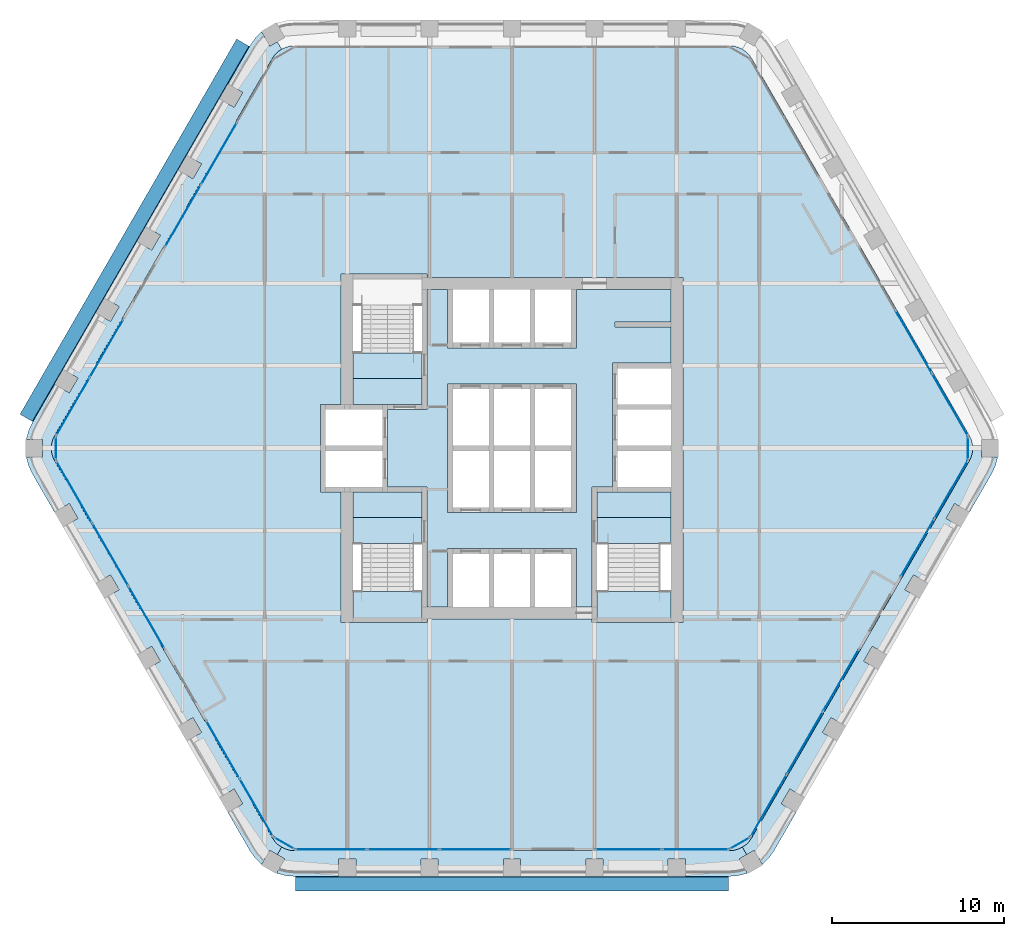
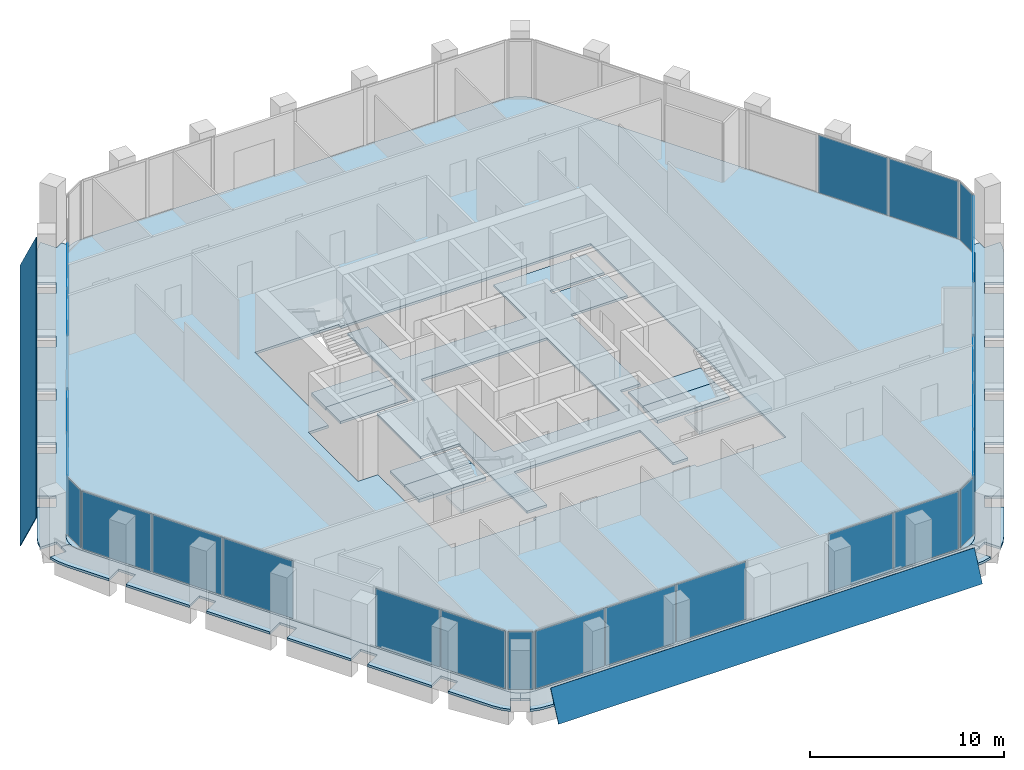
# One storey, part 7 of 15: 27 plates, 14 slabs, 16 elements without a shape of their own.
"""IFC4 building model written with IfcOpenShell, lengths in metres."""

from ifc_helpers import new_model, si_unit, direction, frame, origin, origin_2d, place, context, subcontext, project, spatial, polyline, rectangle, outline, extrude, material, layer, layer_set, type_object, element, aggregate, save


model = new_model("IFC4")

# Units and contexts
model_context = context("Model", 3, precision=1e-05, world=origin(), true_north=direction((0.0, 1.0)))
body_context = subcontext(model_context, "Body", "Model", "MODEL_VIEW")
ifc_project = project(units=[si_unit("LENGTHUNIT", "METRE"), si_unit("AREAUNIT", "SQUARE_METRE"), si_unit("VOLUMEUNIT", "CUBIC_METRE"), si_unit("PLANEANGLEUNIT", "RADIAN"), si_unit("MASSUNIT", "GRAM", prefix="KILO")], contexts=[model_context])

# Site, building, storey
site_placement = place(None, origin())
site = spatial("IfcSite", under=ifc_project, at=site_placement, CompositionType="ELEMENT")
building_placement = place(site_placement, origin())
building = spatial("IfcBuilding", under=site, at=building_placement, Name="Kolab Exchange Tower", CompositionType="ELEMENT")
storey_placement = place(building_placement, frame((0.0, 0.0, 189.5)))
storey = spatial("IfcBuildingStorey", under=building, at=storey_placement, Name="L40", CompositionType="ELEMENT", Elevation=189.5)

# Slabs
ifc_material_1 = material(Name="Concrete C35/45", Category="concrete")
ifc_layer_1 = layer(ifc_material_1, 0.14990234375)
ifc_layer_set_1 = layer_set([ifc_layer_1], Name="Concrete C35/45")
slab_type_1 = type_object("IfcSlabType", Name="FLOOR SLAB 150", PredefinedType="FLOOR", material=ifc_layer_set_1)
slab_1_placement = place(storey_placement, frame((0.0, 0.0, -0.14990234375)))
element("IfcSlab", 1, at=slab_1_placement, inside=storey, type_object=slab_type_1, Name="slab/L40/floor/0", PredefinedType="FLOOR", context=body_context, shape_type="SweptSolid", body=[
    extrude(outline(polyline([(13.967041015625, -22.691650390625), (26.635009765625, -0.75), (26.745361328125, -0.512939453125), (26.81298828125, -0.260498046875), (26.8359375, 0.0), (26.81298828125, 0.260498046875), (26.745361328125, 0.512939453125), (26.635009765625, 0.75), (13.967041015625, 22.691650390625), (13.81689453125, 22.90576171875), (13.632080078125, 23.090576171875), (13.41796875, 23.240478515625), (13.180908203125, 23.35107421875), (12.928466796875, 23.418701171875), (12.66796875, 23.441650390625), (-12.66796875, 23.441650390625), (-12.928466796875, 23.418701171875), (-13.180908203125, 23.35107421875), (-13.41796875, 23.240478515625), (-13.632080078125, 23.090576171875), (-13.81689453125, 22.90576171875), (-13.967041015625, 22.691650390625), (-26.635009765625, 0.75), (-26.745361328125, 0.512939453125), (-26.81298828125, 0.260498046875), (-26.8359375, 0.0), (-26.81298828125, -0.260498046875), (-26.745361328125, -0.512939453125), (-26.635009765625, -0.75), (-13.967041015625, -22.691650390625), (-13.81689453125, -22.90576171875), (-13.632080078125, -23.090576171875), (-13.41796875, -23.240478515625), (-13.180908203125, -23.35107421875), (-12.928466796875, -23.418701171875), (-12.66796875, -23.441650390625), (12.66796875, -23.441650390625), (12.928466796875, -23.418701171875), (13.180908203125, -23.35107421875), (13.41796875, -23.240478515625), (13.632080078125, -23.090576171875), (13.81689453125, -22.90576171875), (13.967041015625, -22.691650390625)]), holes=[polyline([(-9.25, -10.14990234375), (-9.949951171875, -10.14990234375), (-9.949951171875, -2.550048828125), (-10.85009765625, -2.550048828125), (-11.14990234375, -2.550048828125), (-11.14990234375, 2.550048828125), (-10.85009765625, 2.550048828125), (-9.949951171875, 2.550048828125), (-9.949951171875, 10.14990234375), (-9.25, 10.14990234375), (-5.25, 10.14990234375), (-4.949951171875, 10.14990234375), (-4.949951171875, 9.949951171875), (9.25, 9.949951171875), (9.949951171875, 9.949951171875), (9.949951171875, -10.14990234375), (9.25, -10.14990234375), (4.949951171875, -10.14990234375), (4.64990234375, -10.14990234375), (4.64990234375, -9.949951171875), (-4.949951171875, -9.949951171875), (-4.949951171875, -10.14990234375), (-5.25, -10.14990234375), (-9.25, -10.14990234375)])]), origin(), (0.0, 0.0, 1.0), 0.14990234375),
])
slab_2_placement = place(storey_placement, frame((0.0, 0.0, -0.14990234375)))
element("IfcSlab", 2, at=slab_2_placement, inside=storey, type_object=slab_type_1, Name="slab/L40/floor/1", PredefinedType="FLOOR", context=body_context, shape_type="SweptSolid", body=[
    extrude(outline(polyline([(-4.949951171875, 9.25), (-4.949951171875, 2.25), (-5.25, 2.25), (-7.25, 2.25), (-7.25, -2.25), (-5.25, -2.25), (-4.949951171875, -2.25), (-4.949951171875, -9.25), (-3.75, -9.25), (-3.75, -5.85009765625), (-3.449951171875, -5.85009765625), (-1.35009765625, -5.85009765625), (-1.050048828125, -5.85009765625), (1.050048828125, -5.85009765625), (1.35009765625, -5.85009765625), (3.449951171875, -5.85009765625), (3.75, -5.85009765625), (3.75, -9.25), (4.64990234375, -9.25), (4.64990234375, -2.25), (4.949951171875, -2.25), (5.85009765625, -2.25), (5.85009765625, 4.949951171875), (6.14990234375, 4.949951171875), (9.25, 4.949951171875), (9.25, 7.050048828125), (6.0, 7.050048828125), (6.0, 7.35009765625), (9.25, 7.35009765625), (9.25, 9.25), (3.75, 9.25), (3.75, 5.85009765625), (3.449951171875, 5.85009765625), (1.35009765625, 5.85009765625), (1.050048828125, 5.85009765625), (-1.050048828125, 5.85009765625), (-1.35009765625, 5.85009765625), (-3.449951171875, 5.85009765625), (-3.75, 5.85009765625), (-3.75, 9.25), (-4.949951171875, 9.25)]), holes=[polyline([(-3.449951171875, -3.75), (-3.75, -3.75), (-3.75, 3.75), (-3.449951171875, 3.75), (-1.35009765625, 3.75), (-1.050048828125, 3.75), (1.050048828125, 3.75), (1.35009765625, 3.75), (3.449951171875, 3.75), (3.75, 3.75), (3.75, -3.75), (3.449951171875, -3.75), (1.35009765625, -3.75), (1.050048828125, -3.75), (-1.050048828125, -3.75), (-1.35009765625, -3.75), (-3.449951171875, -3.75)])]), origin(), (0.0, 0.0, 1.0), 0.14990234375),
])
slab_3_placement = place(storey_placement, frame((0.0, 0.0, -0.14990234375)))
element("IfcSlab", 3, at=slab_3_placement, inside=storey, type_object=slab_type_1, Name="slab/L40/floor/2", PredefinedType="FLOOR", context=body_context, shape_type="SweptSolid", body=[
    extrude(outline(polyline([(4.949951171875, -4.050048828125), (9.25, -4.050048828125), (9.25, -2.550048828125), (6.14990234375, -2.550048828125), (5.85009765625, -2.550048828125), (4.949951171875, -2.550048828125), (4.949951171875, -4.050048828125)])), origin(), (0.0, 0.0, 1.0), 0.14990234375),
])
slab_4_placement = place(storey_placement, frame((0.0, 0.0, -0.14990234375)))
element("IfcSlab", 4, at=slab_4_placement, inside=storey, type_object=slab_type_1, Name="slab/L40/floor/3", PredefinedType="FLOOR", context=body_context, shape_type="SweptSolid", body=[
    extrude(outline(polyline([(-7.550048828125, -2.550048828125), (-9.25, -2.550048828125), (-9.25, -4.050048828125), (-5.25, -4.050048828125), (-5.25, -2.550048828125), (-7.25, -2.550048828125), (-7.550048828125, -2.550048828125)])), origin(), (0.0, 0.0, 1.0), 0.14990234375),
])
slab_5_placement = place(storey_placement, frame((0.0, 0.0, -0.14990234375)))
element("IfcSlab", 5, at=slab_5_placement, inside=storey, type_object=slab_type_1, Name="slab/L40/floor/4", PredefinedType="FLOOR", context=body_context, shape_type="SweptSolid", body=[
    extrude(outline(polyline([(-9.25, 2.550048828125), (-7.550048828125, 2.550048828125), (-7.25, 2.550048828125), (-5.25, 2.550048828125), (-5.25, 4.050048828125), (-9.25, 4.050048828125), (-9.25, 2.550048828125)])), origin(), (0.0, 0.0, 1.0), 0.14990234375),
])
ifc_layer_2 = layer(ifc_material_1, 0.14990234375)
ifc_layer_set_2 = layer_set([ifc_layer_2], Name="Concrete C35/45")
slab_type_2 = type_object("IfcSlabType", Name="LOGGIA SLAB 150", PredefinedType="FLOOR", material=ifc_layer_set_2)
slab_6_placement = place(storey_placement, frame((0.0, 0.0, -0.14990234375)))
element("IfcSlab", 6, at=slab_6_placement, inside=storey, type_object=slab_type_2, Name="slab/L40/loggia/2-0", PredefinedType="FLOOR", context=body_context, shape_type="SweptSolid", body=[
    extrude(outline(polyline([(15.26611328125, -23.441650390625), (16.550048828125, -21.217529296875), (15.68408203125, -20.717529296875), (16.18408203125, -19.8515625), (17.050048828125, -20.3515625), (18.949951171875, -17.060791015625), (18.083984375, -16.560791015625), (18.583984375, -15.694580078125), (19.449951171875, -16.194580078125), (21.35009765625, -12.90380859375), (20.48388671875, -12.40380859375), (20.98388671875, -11.537841796875), (21.85009765625, -12.037841796875), (23.75, -8.746826171875), (22.884033203125, -8.246826171875), (23.384033203125, -7.380859375), (24.25, -7.880859375), (26.14990234375, -4.58984375), (25.283935546875, -4.08984375), (25.783935546875, -3.223876953125), (26.64990234375, -3.723876953125), (27.93408203125, -1.5), (28.155029296875, -1.026123046875), (28.290283203125, -0.52099609375), (28.292236328125, -0.5), (27.3359375, -0.5), (27.3359375, 0.0), (26.8359375, 0.0), (26.81298828125, -0.260498046875), (26.745361328125, -0.512939453125), (26.635009765625, -0.75), (13.967041015625, -22.691650390625), (13.81689453125, -22.90576171875), (13.632080078125, -23.090576171875), (13.41796875, -23.240478515625), (13.66796875, -23.673583984375), (14.10107421875, -23.423583984375), (14.5791015625, -24.251708984375), (14.59619140625, -24.23974609375), (14.966064453125, -23.869873046875), (15.26611328125, -23.441650390625)])), origin(), (0.0, 0.0, 1.0), 0.14990234375),
])
slab_7_placement = place(storey_placement, frame((0.0, 0.0, -0.14990234375)))
element("IfcSlab", 7, at=slab_7_placement, inside=storey, type_object=slab_type_2, Name="slab/L40/loggia/3-0", PredefinedType="FLOOR", context=body_context, shape_type="SweptSolid", body=[
    extrude(outline(polyline([(-13.41796875, -23.240478515625), (-13.66796875, -23.673583984375), (-13.23486328125, -23.923583984375), (-13.713134765625, -24.751708984375), (-13.694091796875, -24.760498046875), (-13.18896484375, -24.89599609375), (-12.66796875, -24.941650390625), (-10.10009765625, -24.941650390625), (-10.10009765625, -23.941650390625), (-9.10009765625, -23.941650390625), (-9.10009765625, -24.941650390625), (-5.300048828125, -24.941650390625), (-5.300048828125, -23.941650390625), (-4.300048828125, -23.941650390625), (-4.300048828125, -24.941650390625), (-0.5, -24.941650390625), (-0.5, -23.941650390625), (0.5, -23.941650390625), (0.5, -24.941650390625), (4.300048828125, -24.941650390625), (4.300048828125, -23.941650390625), (5.300048828125, -23.941650390625), (5.300048828125, -24.941650390625), (9.10009765625, -24.941650390625), (9.10009765625, -23.941650390625), (10.10009765625, -23.941650390625), (10.10009765625, -24.941650390625), (12.66796875, -24.941650390625), (13.18896484375, -24.89599609375), (13.694091796875, -24.760498046875), (13.713134765625, -24.751708984375), (13.23486328125, -23.923583984375), (13.66796875, -23.673583984375), (13.41796875, -23.240478515625), (13.180908203125, -23.35107421875), (12.928466796875, -23.418701171875), (12.66796875, -23.441650390625), (-12.66796875, -23.441650390625), (-12.928466796875, -23.418701171875), (-13.180908203125, -23.35107421875), (-13.41796875, -23.240478515625)])), origin(), (0.0, 0.0, 1.0), 0.14990234375),
])
slab_8_placement = place(storey_placement, frame((0.0, 0.0, -0.14990234375)))
element("IfcSlab", 8, at=slab_8_placement, inside=storey, type_object=slab_type_2, Name="slab/L40/loggia/4-0", PredefinedType="FLOOR", context=body_context, shape_type="SweptSolid", body=[
    extrude(outline(polyline([(-26.8359375, 0.0), (-27.3359375, 0.0), (-27.3359375, -0.5), (-28.292236328125, -0.5), (-28.290283203125, -0.52099609375), (-28.155029296875, -1.026123046875), (-27.93408203125, -1.5), (-26.64990234375, -3.723876953125), (-25.783935546875, -3.223876953125), (-25.283935546875, -4.08984375), (-26.14990234375, -4.58984375), (-24.25, -7.880859375), (-23.384033203125, -7.380859375), (-22.884033203125, -8.246826171875), (-23.75, -8.746826171875), (-21.85009765625, -12.037841796875), (-20.98388671875, -11.537841796875), (-20.48388671875, -12.40380859375), (-21.35009765625, -12.90380859375), (-19.449951171875, -16.194580078125), (-18.583984375, -15.694580078125), (-18.083984375, -16.560791015625), (-18.949951171875, -17.060791015625), (-17.050048828125, -20.3515625), (-16.18408203125, -19.8515625), (-15.68408203125, -20.717529296875), (-16.550048828125, -21.217529296875), (-15.26611328125, -23.441650390625), (-14.966064453125, -23.869873046875), (-14.59619140625, -24.23974609375), (-14.5791015625, -24.251708984375), (-14.10107421875, -23.423583984375), (-13.66796875, -23.673583984375), (-13.41796875, -23.240478515625), (-13.632080078125, -23.090576171875), (-13.81689453125, -22.90576171875), (-13.967041015625, -22.691650390625), (-26.635009765625, -0.75), (-26.745361328125, -0.512939453125), (-26.81298828125, -0.260498046875), (-26.8359375, 0.0)])), origin(), (0.0, 0.0, 1.0), 0.14990234375),
])
slab_9_placement = place(storey_placement, frame((0.0, 0.0, -0.14990234375)))
element("IfcSlab", 9, at=slab_9_placement, inside=storey, type_object=slab_type_2, Name="slab/L40/loggia/5-0", PredefinedType="FLOOR", context=body_context, shape_type="SweptSolid", body=[
    extrude(outline(polyline([(-13.41796875, 23.240478515625), (-13.66796875, 23.673583984375), (-14.10107421875, 23.423583984375), (-14.5791015625, 24.251708984375), (-14.59619140625, 24.23974609375), (-14.966064453125, 23.869873046875), (-15.26611328125, 23.441650390625), (-16.550048828125, 21.217529296875), (-15.68408203125, 20.717529296875), (-16.18408203125, 19.8515625), (-17.050048828125, 20.3515625), (-18.949951171875, 17.060791015625), (-18.083984375, 16.560791015625), (-18.583984375, 15.694580078125), (-19.449951171875, 16.194580078125), (-21.35009765625, 12.90380859375), (-20.48388671875, 12.40380859375), (-20.98388671875, 11.537841796875), (-21.85009765625, 12.037841796875), (-23.75, 8.746826171875), (-22.884033203125, 8.246826171875), (-23.384033203125, 7.380859375), (-24.25, 7.880859375), (-26.14990234375, 4.58984375), (-25.283935546875, 4.08984375), (-25.783935546875, 3.223876953125), (-26.64990234375, 3.723876953125), (-27.93408203125, 1.5), (-28.155029296875, 1.026123046875), (-28.290283203125, 0.52099609375), (-28.292236328125, 0.5), (-27.3359375, 0.5), (-27.3359375, 0.0), (-26.8359375, 0.0), (-26.81298828125, 0.260498046875), (-26.745361328125, 0.512939453125), (-26.635009765625, 0.75), (-13.967041015625, 22.691650390625), (-13.81689453125, 22.90576171875), (-13.632080078125, 23.090576171875), (-13.41796875, 23.240478515625)])), origin(), (0.0, 0.0, 1.0), 0.14990234375),
])

# Plates
ifc_material_2 = material(Name="Laminated glass, clear", Category="glass")
ifc_layer_3 = layer(ifc_material_2, 0.0400390625)
ifc_layer_set_3 = layer_set([ifc_layer_3], Name="Laminated glass, clear")
plate_type_1 = type_object("IfcPlateType", Name="OUTER SKIN LAMINATED GLASS SHEET 40", PredefinedType="SHEET", material=ifc_layer_set_3)
plate_1_placement = place(storey_placement, frame((12.617919921875, -25.806640625, -0.68310546875), z_axis=(0.0, -0.906316657655, 0.422599238118), x_axis=(-1.0, 0.0, 0.0)))
element("IfcPlate", 10, at=plate_1_placement, inside=storey, type_object=plate_type_1, Name="Outer skin", PredefinedType="SHEET", context=body_context, shape_type="SweptSolid", body=[
    extrude(outline(polyline([(0.0, 0.0), (25.23583984375, 0.0), (25.23583984375, -1.961332030711248), (0.0, -1.961332030711248), (0.0, 0.0)])), origin(), (0.0, 0.0, -1.0), 0.0400390625),
])
plate_2_placement = place(storey_placement, frame((-28.658203125, 1.975830078125, -0.68310546875), z_axis=(-0.784898656704, 0.453161865271, 0.422585402693), x_axis=(0.499999968995, 0.866025421685, -9.26315e-07)))
element("IfcPlate", 11, at=plate_2_placement, inside=storey, type_object=plate_type_1, Name="Outer skin", PredefinedType="SHEET", context=body_context, shape_type="SweptSolid", body=[
    extrude(outline(polyline([(0.0, 0.0), (25.23592824607872, 0.0), (25.23580178082614, -1.96134386267648), (8.496673513263058e-05, -1.9612922777250188), (0.0, 0.0)])), origin(), (0.0, 0.0, -1.0), 0.0400390625),
])

# Stair, slab
ifc_material_3 = material(Name="Concrete C50/60", Category="concrete")
stair_type_1 = type_object("IfcStairType", Name="STAIR ST1 RISER 177.3", PredefinedType="HALF_TURN_STAIR", material=ifc_material_3)
stair_1_placement = place(storey_placement, origin())
stair_1 = element("IfcStair", 12, at=stair_1_placement, inside=storey, type_object=stair_type_1, Name="Stair 1", PredefinedType="HALF_TURN_STAIR")
ifc_layer_4 = layer(ifc_material_3, 0.199951171875)
ifc_layer_set_4 = layer_set([ifc_layer_4], Name="Concrete C50/60")
slab_type_3 = type_object("IfcSlabType", Name="STAIR LANDING 200", PredefinedType="LANDING", material=ifc_layer_set_4)
slab_10_placement = place(storey_placement, frame((0.0, 0.0, -0.199951171875)))
slab_10 = element("IfcSlab", 13, at=slab_10_placement, type_object=slab_type_3, Name="ST1 landing 1", PredefinedType="LANDING", context=body_context, shape_type="SweptSolid", body=[
    extrude(outline(polyline([(-9.25, 4.050048828125), (-5.25, 4.050048828125), (-5.25, 5.550048828125), (-9.25, 5.550048828125), (-9.25, 4.050048828125)])), origin(), (0.0, 0.0, 1.0), 0.199951171875),
])
aggregate(stair_1, [slab_10])

# Stair, slabs
stair_type_2 = type_object("IfcStairType", Name="STAIR ST3 RISER 177.3", PredefinedType="HALF_TURN_STAIR", material=ifc_material_3)
stair_2_placement = place(storey_placement, origin())
stair_2 = element("IfcStair", 14, at=stair_2_placement, inside=storey, type_object=stair_type_2, Name="Stair 3", PredefinedType="HALF_TURN_STAIR")
slab_11_placement = place(storey_placement, frame((0.0, 0.0, -0.199951171875)))
slab_11 = element("IfcSlab", 15, at=slab_11_placement, type_object=slab_type_3, Name="ST3 landing 1", PredefinedType="LANDING", context=body_context, shape_type="SweptSolid", body=[
    extrude(outline(polyline([(-9.25, -5.550048828125), (-5.25, -5.550048828125), (-5.25, -4.050048828125), (-9.25, -4.050048828125), (-9.25, -5.550048828125)])), origin(), (0.0, 0.0, 1.0), 0.199951171875),
])
slab_12_placement = place(storey_placement, frame((0.0, 0.0, 1.75)))
slab_12 = element("IfcSlab", 16, at=slab_12_placement, type_object=slab_type_3, Name="ST3 landing 2", PredefinedType="LANDING", context=body_context, shape_type="SweptSolid", body=[
    extrude(outline(polyline([(-9.25, -9.909912109375), (-5.25, -9.909912109375), (-5.25, -8.35009765625), (-9.25, -8.35009765625), (-9.25, -9.909912109375)])), origin(), (0.0, 0.0, 1.0), 0.199951171875),
])
aggregate(stair_2, [slab_11, slab_12])

stair_type_3 = type_object("IfcStairType", Name="STAIR ST2 RISER 177.3", PredefinedType="HALF_TURN_STAIR", material=ifc_material_3)
stair_3_placement = place(storey_placement, origin())
stair_3 = element("IfcStair", 17, at=stair_3_placement, inside=storey, type_object=stair_type_3, Name="Stair 2", PredefinedType="HALF_TURN_STAIR")
slab_13_placement = place(storey_placement, frame((0.0, 0.0, -0.199951171875)))
slab_13 = element("IfcSlab", 18, at=slab_13_placement, type_object=slab_type_3, Name="ST2 landing 1", PredefinedType="LANDING", context=body_context, shape_type="SweptSolid", body=[
    extrude(outline(polyline([(4.949951171875, -5.550048828125), (9.25, -5.550048828125), (9.25, -4.050048828125), (4.949951171875, -4.050048828125), (4.949951171875, -5.550048828125)])), origin(), (0.0, 0.0, 1.0), 0.199951171875),
])
slab_14_placement = place(storey_placement, frame((0.0, 0.0, 1.75)))
slab_14 = element("IfcSlab", 19, at=slab_14_placement, type_object=slab_type_3, Name="ST2 landing 2", PredefinedType="LANDING", context=body_context, shape_type="SweptSolid", body=[
    extrude(outline(polyline([(4.949951171875, -9.909912109375), (9.25, -9.909912109375), (9.25, -8.35009765625), (4.949951171875, -8.35009765625), (4.949951171875, -9.909912109375)])), origin(), (0.0, 0.0, 1.0), 0.199951171875),
])
aggregate(stair_3, [slab_13, slab_14])

# Curtain wall, plates
ifc_material_4 = material(Name="Aluminium EN AW-6063 T6", Category="aluminium")
curtain_wall_type = type_object("IfcCurtainWallType", Name="UNITISED UPPER MID ZONE CURTAIN WALL", PredefinedType="NOTDEFINED", material=ifc_material_4)
curtain_wall_1_placement = place(storey_placement, origin())
curtain_wall_1 = element("IfcCurtainWall", 20, at=curtain_wall_1_placement, inside=storey, type_object=curtain_wall_type, Name="cw/L40/F2-2", PredefinedType="NOTDEFINED")
ifc_material_5 = material(Name="Clear insulated glazing unit", Category="glass")
ifc_layer_5 = layer(ifc_material_5, 0.028076171875)
ifc_layer_set_5 = layer_set([ifc_layer_5], Name="Clear insulated glazing unit")
plate_type_2 = type_object("IfcPlateType", Name="UNITISED UPPER MID ZONE GLASS PANEL 28", PredefinedType="CURTAIN_PANEL", material=ifc_layer_set_5)
plate_3_placement = place(storey_placement, frame((23.398681640625, 6.1953125, 0.06005859375), z_axis=(0.0, 0.0, 1.0), x_axis=(0.499999958358, -0.866025427826, 0.0)))
plate_3 = element("IfcPlate", 21, at=plate_3_placement, type_object=plate_type_2, Name="CW3 panel 2.1", PredefinedType="CURTAIN_PANEL", context=body_context, shape_type="SweptSolid", body=[
    extrude(rectangle(XDim=4.16259765625, YDim=0.028076171875, at=origin_2d()), origin(), (0.0, 0.0, 1.0), 3.6298828125),
])
plate_4_placement = place(storey_placement, frame((25.50244140625, 2.551513671875, 0.06005859375), z_axis=(0.0, 0.0, 1.0), x_axis=(0.499999958358, -0.866025427826, 0.0)))
plate_4 = element("IfcPlate", 22, at=plate_4_placement, type_object=plate_type_2, Name="CW3 panel 3.1", PredefinedType="CURTAIN_PANEL", context=body_context, shape_type="SweptSolid", body=[
    extrude(rectangle(XDim=4.132568359375, YDim=0.028076171875, at=origin_2d()), origin(), (0.0, 0.0, 1.0), 3.6298828125),
])
aggregate(curtain_wall_1, [plate_3, plate_4])

curtain_wall_2_placement = place(storey_placement, origin())
curtain_wall_2 = element("IfcCurtainWall", 23, at=curtain_wall_2_placement, inside=storey, type_object=curtain_wall_type, Name="cw/L40/F3-1", PredefinedType="NOTDEFINED")
plate_5_placement = place(storey_placement, frame((25.57470703125, -2.426513671875, 0.06005859375), z_axis=(0.0, 0.0, 1.0), x_axis=(-0.499999936366, -0.866025440524, 0.0)))
plate_5 = element("IfcPlate", 24, at=plate_5_placement, type_object=plate_type_2, Name="CW3 panel 1.1", PredefinedType="CURTAIN_PANEL", context=body_context, shape_type="SweptSolid", body=[
    extrude(rectangle(XDim=3.843994140625, YDim=0.028076171875, at=origin_2d()), origin(), (0.0, 0.0, 1.0), 3.6298828125),
])
plate_6_placement = place(storey_placement, frame((23.62255859375, -5.807373046875, 0.06005859375), z_axis=(0.0, 0.0, 1.0), x_axis=(-0.499999936366, -0.866025440524, 0.0)))
plate_6 = element("IfcPlate", 25, at=plate_6_placement, type_object=plate_type_2, Name="CW3 panel 2.1", PredefinedType="CURTAIN_PANEL", context=body_context, shape_type="SweptSolid", body=[
    extrude(rectangle(XDim=3.843994140625, YDim=0.028076171875, at=origin_2d()), origin(), (0.0, 0.0, 1.0), 3.6298828125),
])
aggregate(curtain_wall_2, [plate_5, plate_6])

curtain_wall_3_placement = place(storey_placement, origin())
curtain_wall_3 = element("IfcCurtainWall", 26, at=curtain_wall_3_placement, inside=storey, type_object=curtain_wall_type, Name="cw/L40/F3-2", PredefinedType="NOTDEFINED")
plate_7_placement = place(storey_placement, frame((19.16845703125, -13.522216796875, 0.06005859375), z_axis=(0.0, 0.0, 1.0), x_axis=(-0.500000017564, -0.866025393644, 0.0)))
plate_7 = element("IfcPlate", 27, at=plate_7_placement, type_object=plate_type_2, Name="CW3 panel 1.1", PredefinedType="CURTAIN_PANEL", context=body_context, shape_type="SweptSolid", body=[
    extrude(rectangle(XDim=4.132568359375, YDim=0.028076171875, at=origin_2d()), origin(), (0.0, 0.0, 1.0), 3.6298828125),
])
plate_8_placement = place(storey_placement, frame((17.064697265625, -17.166259765625, 0.06005859375), z_axis=(0.0, 0.0, 1.0), x_axis=(-0.500000017564, -0.866025393644, 0.0)))
plate_8 = element("IfcPlate", 28, at=plate_8_placement, type_object=plate_type_2, Name="CW3 panel 2.1", PredefinedType="CURTAIN_PANEL", context=body_context, shape_type="SweptSolid", body=[
    extrude(rectangle(XDim=4.16259765625, YDim=0.028076171875, at=origin_2d()), origin(), (0.0, 0.0, 1.0), 3.6298828125),
])
plate_9_placement = place(storey_placement, frame((14.9609375, -20.81005859375, 0.06005859375), z_axis=(0.0, 0.0, 1.0), x_axis=(-0.500000017564, -0.866025393644, 0.0)))
plate_9 = element("IfcPlate", 29, at=plate_9_placement, type_object=plate_type_2, Name="CW3 panel 3.1", PredefinedType="CURTAIN_PANEL", context=body_context, shape_type="SweptSolid", body=[
    extrude(rectangle(XDim=4.132568359375, YDim=0.028076171875, at=origin_2d()), origin(), (0.0, 0.0, 1.0), 3.6298828125),
])
aggregate(curtain_wall_3, [plate_7, plate_8, plate_9])

curtain_wall_4_placement = place(storey_placement, origin())
curtain_wall_4 = element("IfcCurtainWall", 30, at=curtain_wall_4_placement, inside=storey, type_object=curtain_wall_type, Name="cw/L40/F4-1", PredefinedType="NOTDEFINED")
plate_10_placement = place(storey_placement, frame((10.68603515625, -23.361572265625, 0.06005859375), z_axis=(0.0, 0.0, 1.0), x_axis=(-1.0, 0.0, 0.0)))
plate_10 = element("IfcPlate", 31, at=plate_10_placement, type_object=plate_type_2, Name="CW3 panel 1.1", PredefinedType="CURTAIN_PANEL", context=body_context, shape_type="SweptSolid", body=[
    extrude(rectangle(XDim=3.843994140625, YDim=0.028076171875, at=origin_2d()), origin(), (0.0, 0.0, 1.0), 3.6298828125),
])
plate_11_placement = place(storey_placement, frame((6.781982421875, -23.361572265625, 0.06005859375), z_axis=(0.0, 0.0, 1.0), x_axis=(-1.0, 0.0, 0.0)))
plate_11 = element("IfcPlate", 32, at=plate_11_placement, type_object=plate_type_2, Name="CW3 panel 2.1", PredefinedType="CURTAIN_PANEL", context=body_context, shape_type="SweptSolid", body=[
    extrude(rectangle(XDim=3.843994140625, YDim=0.028076171875, at=origin_2d()), origin(), (0.0, 0.0, 1.0), 3.6298828125),
])
aggregate(curtain_wall_4, [plate_10, plate_11])

curtain_wall_5_placement = place(storey_placement, origin())
curtain_wall_5 = element("IfcCurtainWall", 33, at=curtain_wall_5_placement, inside=storey, type_object=curtain_wall_type, Name="cw/L40/F4-2", PredefinedType="NOTDEFINED")
plate_12_placement = place(storey_placement, frame((-2.126220703125, -23.361572265625, 0.06005859375), z_axis=(0.0, 0.0, 1.0), x_axis=(-1.0, 0.0, 0.0)))
plate_12 = element("IfcPlate", 34, at=plate_12_placement, type_object=plate_type_2, Name="CW3 panel 1.1", PredefinedType="CURTAIN_PANEL", context=body_context, shape_type="SweptSolid", body=[
    extrude(rectangle(XDim=4.132568359375, YDim=0.028076171875, at=origin_2d()), origin(), (0.0, 0.0, 1.0), 3.6298828125),
])
plate_13_placement = place(storey_placement, frame((-6.333984375, -23.361572265625, 0.06005859375), z_axis=(0.0, 0.0, 1.0), x_axis=(-1.0, 0.0, 0.0)))
plate_13 = element("IfcPlate", 35, at=plate_13_placement, type_object=plate_type_2, Name="CW3 panel 2.1", PredefinedType="CURTAIN_PANEL", context=body_context, shape_type="SweptSolid", body=[
    extrude(rectangle(XDim=4.16259765625, YDim=0.028076171875, at=origin_2d()), origin(), (0.0, 0.0, 1.0), 3.6298828125),
])
plate_14_placement = place(storey_placement, frame((-10.54150390625, -23.361572265625, 0.06005859375), z_axis=(0.0, 0.0, 1.0), x_axis=(-1.0, 0.0, 0.0)))
plate_14 = element("IfcPlate", 36, at=plate_14_placement, type_object=plate_type_2, Name="CW3 panel 3.1", PredefinedType="CURTAIN_PANEL", context=body_context, shape_type="SweptSolid", body=[
    extrude(rectangle(XDim=4.132568359375, YDim=0.028076171875, at=origin_2d()), origin(), (0.0, 0.0, 1.0), 3.6298828125),
])
aggregate(curtain_wall_5, [plate_12, plate_13, plate_14])

curtain_wall_6_placement = place(storey_placement, origin())
curtain_wall_6 = element("IfcCurtainWall", 37, at=curtain_wall_6_placement, inside=storey, type_object=curtain_wall_type, Name="cw/L40/F5-1", PredefinedType="NOTDEFINED")
plate_15_placement = place(storey_placement, frame((-14.888671875, -20.93505859375, 0.06005859375), z_axis=(0.0, 0.0, 1.0), x_axis=(-0.500000031681, 0.866025385493, 0.0)))
plate_15 = element("IfcPlate", 38, at=plate_15_placement, type_object=plate_type_2, Name="CW3 panel 1.1", PredefinedType="CURTAIN_PANEL", context=body_context, shape_type="SweptSolid", body=[
    extrude(rectangle(XDim=3.843994140625, YDim=0.028076171875, at=origin_2d()), origin(), (0.0, 0.0, 1.0), 3.6298828125),
])
plate_16_placement = place(storey_placement, frame((-16.840576171875, -17.55419921875, 0.06005859375), z_axis=(0.0, 0.0, 1.0), x_axis=(-0.500000031681, 0.866025385493, 0.0)))
plate_16 = element("IfcPlate", 39, at=plate_16_placement, type_object=plate_type_2, Name="CW3 panel 2.1", PredefinedType="CURTAIN_PANEL", context=body_context, shape_type="SweptSolid", body=[
    extrude(rectangle(XDim=3.843994140625, YDim=0.028076171875, at=origin_2d()), origin(), (0.0, 0.0, 1.0), 3.6298828125),
])
aggregate(curtain_wall_6, [plate_15, plate_16])

curtain_wall_7_placement = place(storey_placement, origin())
curtain_wall_7 = element("IfcCurtainWall", 40, at=curtain_wall_7_placement, inside=storey, type_object=curtain_wall_type, Name="cw/L40/F5-2", PredefinedType="NOTDEFINED")
plate_17_placement = place(storey_placement, frame((-21.294921875, -9.83935546875, 0.06005859375), z_axis=(0.0, 0.0, 1.0), x_axis=(-0.499999958358, 0.866025427826, 0.0)))
plate_17 = element("IfcPlate", 41, at=plate_17_placement, type_object=plate_type_2, Name="CW3 panel 1.1", PredefinedType="CURTAIN_PANEL", context=body_context, shape_type="SweptSolid", body=[
    extrude(rectangle(XDim=4.132568359375, YDim=0.028076171875, at=origin_2d()), origin(), (0.0, 0.0, 1.0), 3.6298828125),
])
plate_18_placement = place(storey_placement, frame((-23.398681640625, -6.1953125, 0.06005859375), z_axis=(0.0, 0.0, 1.0), x_axis=(-0.499999958358, 0.866025427826, 0.0)))
plate_18 = element("IfcPlate", 42, at=plate_18_placement, type_object=plate_type_2, Name="CW3 panel 2.1", PredefinedType="CURTAIN_PANEL", context=body_context, shape_type="SweptSolid", body=[
    extrude(rectangle(XDim=4.16259765625, YDim=0.028076171875, at=origin_2d()), origin(), (0.0, 0.0, 1.0), 3.6298828125),
])
plate_19_placement = place(storey_placement, frame((-25.50244140625, -2.551513671875, 0.06005859375), z_axis=(0.0, 0.0, 1.0), x_axis=(-0.499999958358, 0.866025427826, 0.0)))
plate_19 = element("IfcPlate", 43, at=plate_19_placement, type_object=plate_type_2, Name="CW3 panel 3.1", PredefinedType="CURTAIN_PANEL", context=body_context, shape_type="SweptSolid", body=[
    extrude(rectangle(XDim=4.132568359375, YDim=0.028076171875, at=origin_2d()), origin(), (0.0, 0.0, 1.0), 3.6298828125),
])
aggregate(curtain_wall_7, [plate_17, plate_18, plate_19])

curtain_wall_8_placement = place(storey_placement, origin())
curtain_wall_8 = element("IfcCurtainWall", 44, at=curtain_wall_8_placement, inside=storey, type_object=curtain_wall_type, Name="cw/L40/F6-1", PredefinedType="NOTDEFINED")
plate_20_placement = place(storey_placement, frame((-25.57470703125, 2.426513671875, 0.06005859375), z_axis=(0.0, 0.0, 1.0), x_axis=(0.499999936366, 0.866025440524, 0.0)))
plate_20 = element("IfcPlate", 45, at=plate_20_placement, type_object=plate_type_2, Name="CW3 panel 1.1", PredefinedType="CURTAIN_PANEL", context=body_context, shape_type="SweptSolid", body=[
    extrude(rectangle(XDim=3.843994140625, YDim=0.028076171875, at=origin_2d()), origin(), (0.0, 0.0, 1.0), 3.6298828125),
])
plate_21_placement = place(storey_placement, frame((-23.62255859375, 5.807373046875, 0.06005859375), z_axis=(0.0, 0.0, 1.0), x_axis=(0.499999936366, 0.866025440524, 0.0)))
plate_21 = element("IfcPlate", 46, at=plate_21_placement, type_object=plate_type_2, Name="CW3 panel 2.1", PredefinedType="CURTAIN_PANEL", context=body_context, shape_type="SweptSolid", body=[
    extrude(rectangle(XDim=3.843994140625, YDim=0.028076171875, at=origin_2d()), origin(), (0.0, 0.0, 1.0), 3.6298828125),
])
aggregate(curtain_wall_8, [plate_20, plate_21])

curtain_wall_9_placement = place(storey_placement, origin())
curtain_wall_9 = element("IfcCurtainWall", 47, at=curtain_wall_9_placement, inside=storey, type_object=curtain_wall_type, Name="cw/L40/F6-2", PredefinedType="NOTDEFINED")
plate_22_placement = place(storey_placement, frame((-19.16845703125, 13.522216796875, 0.06005859375), z_axis=(0.0, 0.0, 1.0), x_axis=(0.500000017564, 0.866025393644, 0.0)))
plate_22 = element("IfcPlate", 48, at=plate_22_placement, type_object=plate_type_2, Name="CW3 panel 1.1", PredefinedType="CURTAIN_PANEL", context=body_context, shape_type="SweptSolid", body=[
    extrude(rectangle(XDim=4.132568359375, YDim=0.028076171875, at=origin_2d()), origin(), (0.0, 0.0, 1.0), 3.6298828125),
])
plate_23_placement = place(storey_placement, frame((-17.064697265625, 17.166259765625, 0.06005859375), z_axis=(0.0, 0.0, 1.0), x_axis=(0.500000017564, 0.866025393644, 0.0)))
plate_23 = element("IfcPlate", 49, at=plate_23_placement, type_object=plate_type_2, Name="CW3 panel 2.1", PredefinedType="CURTAIN_PANEL", context=body_context, shape_type="SweptSolid", body=[
    extrude(rectangle(XDim=4.16259765625, YDim=0.028076171875, at=origin_2d()), origin(), (0.0, 0.0, 1.0), 3.6298828125),
])
aggregate(curtain_wall_9, [plate_22, plate_23])

# Curtain wall, plate
curtain_wall_10_placement = place(storey_placement, origin())
curtain_wall_10 = element("IfcCurtainWall", 50, at=curtain_wall_10_placement, inside=storey, type_object=curtain_wall_type, Name="cw/L40/F2F3-corner", PredefinedType="NOTDEFINED")
plate_24_placement = place(storey_placement, frame((26.565673828125, 0.0, 0.06005859375), z_axis=(0.0, 0.0, 1.0), x_axis=(0.0, -1.0, 0.0)))
plate_24 = element("IfcPlate", 51, at=plate_24_placement, type_object=plate_type_2, Name="CW3 panel 1.1", PredefinedType="CURTAIN_PANEL", context=body_context, shape_type="SweptSolid", body=[
    extrude(rectangle(XDim=1.300048828125, YDim=0.028076171875, at=origin_2d()), origin(), (0.0, 0.0, 1.0), 3.6298828125),
])
aggregate(curtain_wall_10, [plate_24])

curtain_wall_11_placement = place(storey_placement, origin())
curtain_wall_11 = element("IfcCurtainWall", 52, at=curtain_wall_11_placement, inside=storey, type_object=curtain_wall_type, Name="cw/L40/F3F4-corner", PredefinedType="NOTDEFINED")
plate_25_placement = place(storey_placement, frame((13.28271484375, -23.006591796875, 0.06005859375), z_axis=(0.0, 0.0, 1.0), x_axis=(-0.866025390869, -0.50000002237, 0.0)))
plate_25 = element("IfcPlate", 53, at=plate_25_placement, type_object=plate_type_2, Name="CW3 panel 1.1", PredefinedType="CURTAIN_PANEL", context=body_context, shape_type="SweptSolid", body=[
    extrude(rectangle(XDim=1.300048828125, YDim=0.028076171875, at=origin_2d()), origin(), (0.0, 0.0, 1.0), 3.6298828125),
])
aggregate(curtain_wall_11, [plate_25])

curtain_wall_12_placement = place(storey_placement, origin())
curtain_wall_12 = element("IfcCurtainWall", 54, at=curtain_wall_12_placement, inside=storey, type_object=curtain_wall_type, Name="cw/L40/F4F5-corner", PredefinedType="NOTDEFINED")
plate_26_placement = place(storey_placement, frame((-13.28271484375, -23.006591796875, 0.06005859375), z_axis=(0.0, 0.0, 1.0), x_axis=(-0.866025390869, 0.50000002237, 0.0)))
plate_26 = element("IfcPlate", 55, at=plate_26_placement, type_object=plate_type_2, Name="CW3 panel 1.1", PredefinedType="CURTAIN_PANEL", context=body_context, shape_type="SweptSolid", body=[
    extrude(rectangle(XDim=1.300048828125, YDim=0.028076171875, at=origin_2d()), origin(), (0.0, 0.0, 1.0), 3.6298828125),
])
aggregate(curtain_wall_12, [plate_26])

curtain_wall_13_placement = place(storey_placement, origin())
curtain_wall_13 = element("IfcCurtainWall", 56, at=curtain_wall_13_placement, inside=storey, type_object=curtain_wall_type, Name="cw/L40/F5F6-corner", PredefinedType="NOTDEFINED")
plate_27_placement = place(storey_placement, frame((-26.565673828125, 0.0, 0.06005859375), z_axis=(0.0, 0.0, 1.0), x_axis=(0.0, 1.0, 0.0)))
plate_27 = element("IfcPlate", 57, at=plate_27_placement, type_object=plate_type_2, Name="CW3 panel 1.1", PredefinedType="CURTAIN_PANEL", context=body_context, shape_type="SweptSolid", body=[
    extrude(rectangle(XDim=1.300048828125, YDim=0.028076171875, at=origin_2d()), origin(), (0.0, 0.0, 1.0), 3.6298828125),
])
aggregate(curtain_wall_13, [plate_27])

save(model, "model.ifc")
